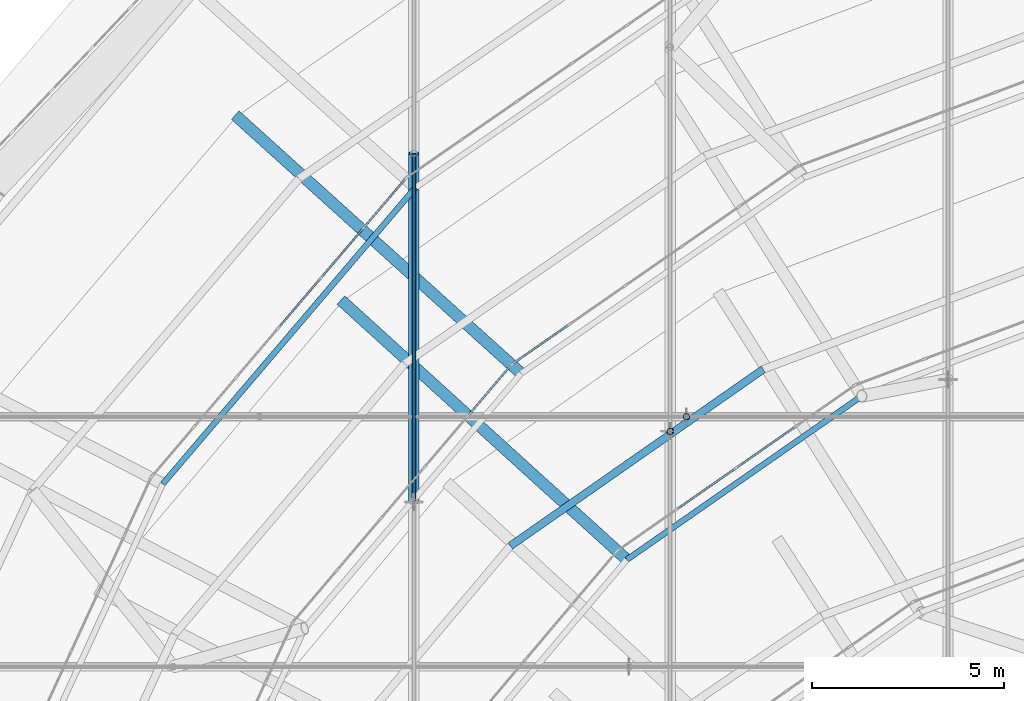
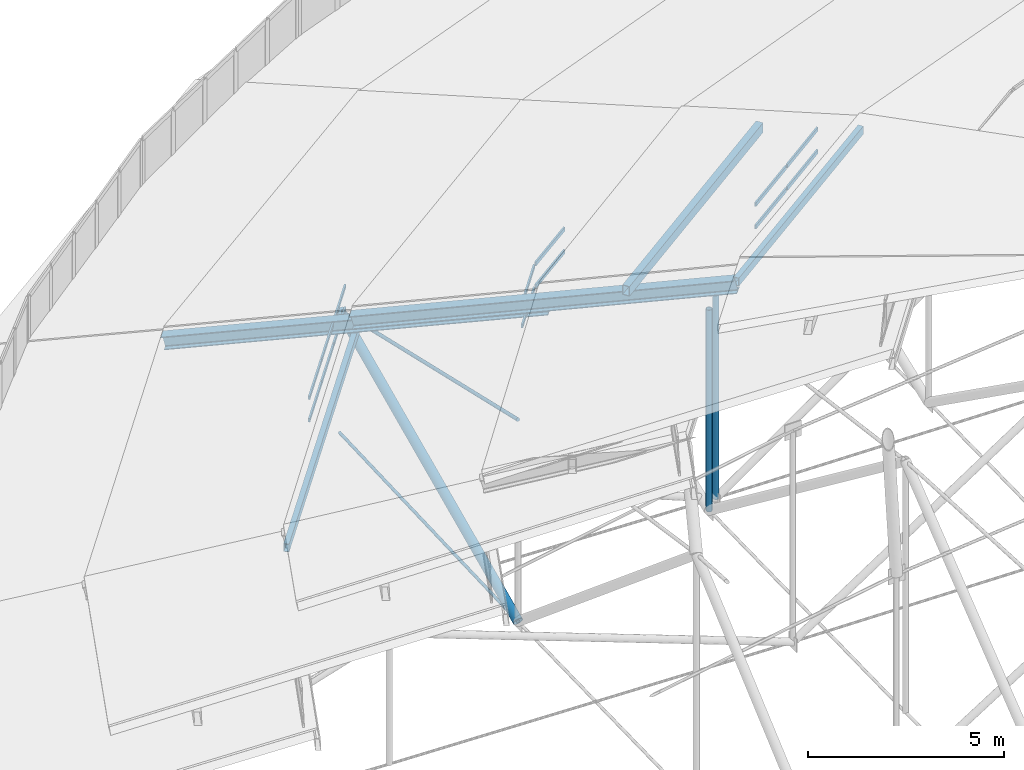
# One storey, part 103 of 173: 24 members, 4 elements without a shape of their own.
"""IFC4 building model written with IfcOpenShell, lengths in metres."""

from ifc_helpers import new_model, si_unit, direction, frame, origin, origin_2d, place, context, subcontext, project, spatial, rectangle, hollow_rectangle, circle, hollow_circle, i_section, extrude, material, material_profile, profile_set, type_object, element, aggregate, save


model = new_model("IFC4")

# Units and contexts
model_context = context("Model", 3, precision=1e-05, world=origin(), true_north=direction((0.0, 1.0)))
body_context = subcontext(model_context, "Body", "Model", "MODEL_VIEW")
ifc_project = project(units=[si_unit("LENGTHUNIT", "METRE"), si_unit("AREAUNIT", "SQUARE_METRE"), si_unit("VOLUMEUNIT", "CUBIC_METRE"), si_unit("PLANEANGLEUNIT", "RADIAN"), si_unit("MASSUNIT", "GRAM", prefix="KILO")], contexts=[model_context])

# Site, building, storey
site_placement = place(None, origin())
site = spatial("IfcSite", under=ifc_project, at=site_placement, CompositionType="ELEMENT")
building_placement = place(site_placement, origin())
building = spatial("IfcBuilding", under=site, at=building_placement, Name="Glasvene Arena", CompositionType="ELEMENT")
storey_placement = place(building_placement, frame((0.0, 0.0, 28.800048828125)))
storey = spatial("IfcBuildingStorey", under=building, at=storey_placement, Name="RF", CompositionType="ELEMENT", Elevation=28.800048828125)

# Curtain wall, members
ifc_material_1 = material(Name="Low-emissivity laminated double glazing", Category="glass")
curtain_wall_type_1 = type_object("IfcCurtainWallType", Name="CW-PET1-1026x75", PredefinedType="USERDEFINED", material=ifc_material_1)
curtain_wall_1_placement = place(storey_placement, frame((62.40771484375, 99.657958984375, 0.0)))
curtain_wall_1 = element("IfcCurtainWall", 1, at=curtain_wall_1_placement, inside=storey, type_object=curtain_wall_type_1, Name="Petal ring 1-2 clerestory curtain wall 10", ObjectType="CURTAIN WALL", PredefinedType="USERDEFINED")
ifc_material_2 = material(Name="Anodised architectural aluminium", Category="aluminium")
ifc_material_profile_1 = material_profile(ifc_material_2, rectangle(XDim=0.050048828125, YDim=0.1201171875, at=origin_2d()), Name="ALU TRANSOM 50x120")
ifc_profile_set_1 = profile_set([ifc_material_profile_1], Name="Anodised architectural aluminium")
member_type_1 = type_object("IfcMemberType", Name="CW-TRN-120", PredefinedType="USERDEFINED", material=ifc_profile_set_1)
member_1_placement = place(storey_placement, frame((62.375244140625, 99.619873046875, 2.60498046875), z_axis=(-0.648463249482, -0.761245961613, 0.0), x_axis=(0.761245961613, -0.648463249482, 0.0)))
member_1 = element("IfcMember", 2, at=member_1_placement, type_object=member_type_1, Name="CW-083 transom 1.1", ObjectType="TRANSOM", PredefinedType="USERDEFINED", context=body_context, shape_type="SweptSolid", body=[
    extrude(rectangle(XDim=0.050048828125, YDim=0.1201171875, at=origin_2d()), origin(), (0.0, 0.0, 1.0), 1.63427734375),
])
member_2_placement = place(storey_placement, frame((62.375244140625, 99.619873046875, 3.304931640625), z_axis=(-0.648463249482, -0.761245961613, 0.0), x_axis=(0.761245961613, -0.648463249482, 0.0)))
member_2 = element("IfcMember", 3, at=member_2_placement, type_object=member_type_1, Name="CW-083 transom 1.2", ObjectType="TRANSOM", PredefinedType="USERDEFINED", context=body_context, shape_type="SweptSolid", body=[
    extrude(rectangle(XDim=0.050048828125, YDim=0.1201171875, at=origin_2d()), origin(), (0.0, 0.0, 1.0), 1.63427734375),
])
member_3_placement = place(storey_placement, frame((61.282958984375, 98.337646484375, 2.60498046875), z_axis=(-0.648438039829, -0.761267435598, 0.0), x_axis=(0.761267435598, -0.648438039829, 0.0)))
member_3 = element("IfcMember", 4, at=member_3_placement, type_object=member_type_1, Name="CW-083 transom 2.1", ObjectType="TRANSOM", PredefinedType="USERDEFINED", context=body_context, shape_type="SweptSolid", body=[
    extrude(rectangle(XDim=0.050048828125, YDim=0.1201171875, at=origin_2d()), origin(), (0.0, 0.0, 1.0), 1.65966796875),
])
member_4_placement = place(storey_placement, frame((61.282958984375, 98.337646484375, 3.304931640625), z_axis=(-0.648438039829, -0.761267435598, 0.0), x_axis=(0.761267435598, -0.648438039829, 0.0)))
member_4 = element("IfcMember", 5, at=member_4_placement, type_object=member_type_1, Name="CW-083 transom 2.2", ObjectType="TRANSOM", PredefinedType="USERDEFINED", context=body_context, shape_type="SweptSolid", body=[
    extrude(rectangle(XDim=0.050048828125, YDim=0.1201171875, at=origin_2d()), origin(), (0.0, 0.0, 1.0), 1.65966796875),
])
member_5_placement = place(storey_placement, frame((60.174560546875, 97.0361328125, 2.60498046875), z_axis=(-0.648510661064, -0.761205571766, 0.0), x_axis=(0.761205571766, -0.648510661064, 0.0)))
member_5 = element("IfcMember", 6, at=member_5_placement, type_object=member_type_1, Name="CW-083 transom 3.1", ObjectType="TRANSOM", PredefinedType="USERDEFINED", context=body_context, shape_type="SweptSolid", body=[
    extrude(rectangle(XDim=0.050048828125, YDim=0.1201171875, at=origin_2d()), origin(), (0.0, 0.0, 1.0), 1.659423828125),
])
member_6_placement = place(storey_placement, frame((60.174560546875, 97.0361328125, 3.304931640625), z_axis=(-0.648510661064, -0.761205571766, 0.0), x_axis=(0.761205571766, -0.648510661064, 0.0)))
member_6 = element("IfcMember", 7, at=member_6_placement, type_object=member_type_1, Name="CW-083 transom 3.2", ObjectType="TRANSOM", PredefinedType="USERDEFINED", context=body_context, shape_type="SweptSolid", body=[
    extrude(rectangle(XDim=0.050048828125, YDim=0.1201171875, at=origin_2d()), origin(), (0.0, 0.0, 1.0), 1.659423828125),
])
aggregate(curtain_wall_1, [member_1, member_2, member_3, member_4, member_5, member_6])

curtain_wall_type_2 = type_object("IfcCurtainWallType", Name="CW-PET2-905x75", PredefinedType="USERDEFINED", material=ifc_material_1)
curtain_wall_2_placement = place(storey_placement, frame((72.60009765625, 99.952392578125, 0.0)))
curtain_wall_2 = element("IfcCurtainWall", 8, at=curtain_wall_2_placement, inside=storey, type_object=curtain_wall_type_2, Name="Petal ring 2-3 clerestory curtain wall 09", ObjectType="CURTAIN WALL", PredefinedType="USERDEFINED")
member_7_placement = place(storey_placement, frame((66.63134765625, 95.812744140625, 5.204833984375), z_axis=(-0.821644611614, -0.57000011597, 0.0), x_axis=(0.57000011597, -0.821644611614, 0.0)))
member_7 = element("IfcMember", 9, at=member_7_placement, type_object=member_type_1, Name="CW-090 transom 5.1", ObjectType="TRANSOM", PredefinedType="USERDEFINED", context=body_context, shape_type="SweptSolid", body=[
    extrude(rectangle(XDim=0.050048828125, YDim=0.1201171875, at=origin_2d()), origin(), (0.0, 0.0, 1.0), 1.734619140625),
])
member_8_placement = place(storey_placement, frame((66.63134765625, 95.812744140625, 5.905029296875), z_axis=(-0.821644611614, -0.57000011597, 0.0), x_axis=(0.57000011597, -0.821644611614, 0.0)))
member_8 = element("IfcMember", 10, at=member_8_placement, type_object=member_type_1, Name="CW-090 transom 5.2", ObjectType="TRANSOM", PredefinedType="USERDEFINED", context=body_context, shape_type="SweptSolid", body=[
    extrude(rectangle(XDim=0.050048828125, YDim=0.1201171875, at=origin_2d()), origin(), (0.0, 0.0, 1.0), 1.734619140625),
])
aggregate(curtain_wall_2, [member_7, member_8])

curtain_wall_type_3 = type_object("IfcCurtainWallType", Name="CW-PET2-882x75", PredefinedType="USERDEFINED", material=ifc_material_1)
curtain_wall_3_placement = place(storey_placement, frame((65.164794921875, 94.795654296875, 0.0)))
curtain_wall_3 = element("IfcCurtainWall", 11, at=curtain_wall_3_placement, inside=storey, type_object=curtain_wall_type_3, Name="Petal ring 2-3 clerestory curtain wall 10", ObjectType="CURTAIN WALL", PredefinedType="USERDEFINED")
member_9_placement = place(storey_placement, frame((65.132568359375, 94.757568359375, 5.204833984375), z_axis=(-0.647127758529, -0.762381573847, 0.0), x_axis=(0.762381573847, -0.647127758529, 0.0)))
member_9 = element("IfcMember", 12, at=member_9_placement, type_object=member_type_1, Name="CW-089 transom 1.1", ObjectType="TRANSOM", PredefinedType="USERDEFINED", context=body_context, shape_type="SweptSolid", body=[
    extrude(rectangle(XDim=0.050048828125, YDim=0.1201171875, at=origin_2d()), origin(), (0.0, 0.0, 1.0), 1.688232421875),
])
member_10_placement = place(storey_placement, frame((65.132568359375, 94.757568359375, 5.905029296875), z_axis=(-0.647127758529, -0.762381573847, 0.0), x_axis=(0.762381573847, -0.647127758529, 0.0)))
member_10 = element("IfcMember", 13, at=member_10_placement, type_object=member_type_1, Name="CW-089 transom 1.2", ObjectType="TRANSOM", PredefinedType="USERDEFINED", context=body_context, shape_type="SweptSolid", body=[
    extrude(rectangle(XDim=0.050048828125, YDim=0.1201171875, at=origin_2d()), origin(), (0.0, 0.0, 1.0), 1.688232421875),
])
aggregate(curtain_wall_3, [member_9, member_10])

curtain_wall_type_4 = type_object("IfcCurtainWallType", Name="CW-PET3-756x75", PredefinedType="USERDEFINED", material=ifc_material_1)
curtain_wall_4_placement = place(storey_placement, frame((74.125, 94.255859375, 0.0)))
curtain_wall_4 = element("IfcCurtainWall", 14, at=curtain_wall_4_placement, inside=storey, type_object=curtain_wall_type_4, Name="Petal ring 3-4 clerestory curtain wall 09", ObjectType="CURTAIN WALL", PredefinedType="USERDEFINED")
member_11_placement = place(storey_placement, frame((72.5537109375, 93.160888671875, 7.85498046875), z_axis=(-0.820420800475, -0.571760185872, 0.0), x_axis=(0.571760185872, -0.820420800475, 0.0)))
member_11 = element("IfcMember", 15, at=member_11_placement, type_object=member_type_1, Name="CW-096 transom 2.1", ObjectType="TRANSOM", PredefinedType="USERDEFINED", context=body_context, shape_type="SweptSolid", body=[
    extrude(rectangle(XDim=0.050048828125, YDim=0.1201171875, at=origin_2d()), origin(), (0.0, 0.0, 1.0), 1.83984375),
])
member_12_placement = place(storey_placement, frame((72.5537109375, 93.160888671875, 8.554931640625), z_axis=(-0.820420800475, -0.571760185872, 0.0), x_axis=(0.571760185872, -0.820420800475, 0.0)))
member_12 = element("IfcMember", 16, at=member_12_placement, type_object=member_type_1, Name="CW-096 transom 2.2", ObjectType="TRANSOM", PredefinedType="USERDEFINED", context=body_context, shape_type="SweptSolid", body=[
    extrude(rectangle(XDim=0.050048828125, YDim=0.1201171875, at=origin_2d()), origin(), (0.0, 0.0, 1.0), 1.83984375),
])
member_13_placement = place(storey_placement, frame((71.003173828125, 92.080322265625, 7.85498046875), z_axis=(-0.820464170964, -0.571697948364, 0.0), x_axis=(0.571697948364, -0.820464170964, 0.0)))
member_13 = element("IfcMember", 17, at=member_13_placement, type_object=member_type_1, Name="CW-096 transom 3.1", ObjectType="TRANSOM", PredefinedType="USERDEFINED", context=body_context, shape_type="SweptSolid", body=[
    extrude(rectangle(XDim=0.050048828125, YDim=0.1201171875, at=origin_2d()), origin(), (0.0, 0.0, 1.0), 1.840087890625),
])
member_14_placement = place(storey_placement, frame((71.003173828125, 92.080322265625, 8.554931640625), z_axis=(-0.820464170964, -0.571697948364, 0.0), x_axis=(0.571697948364, -0.820464170964, 0.0)))
member_14 = element("IfcMember", 18, at=member_14_placement, type_object=member_type_1, Name="CW-096 transom 3.2", ObjectType="TRANSOM", PredefinedType="USERDEFINED", context=body_context, shape_type="SweptSolid", body=[
    extrude(rectangle(XDim=0.050048828125, YDim=0.1201171875, at=origin_2d()), origin(), (0.0, 0.0, 1.0), 1.840087890625),
])
aggregate(curtain_wall_4, [member_11, member_12, member_13, member_14])

# Members
ifc_material_3 = material(Name="High-strength steel spiral strand S460", Category="steel")
ifc_material_profile_2 = material_profile(ifc_material_3, circle(Radius=0.052490234375, at=origin_2d()), Name="LCSS D105")
ifc_profile_set_2 = profile_set([ifc_material_profile_2], Name="High-strength steel spiral strand S460")
member_type_2 = type_object("IfcMemberType", Name="MB-CABLE-105", PredefinedType="USERDEFINED", material=ifc_profile_set_2)
member_15_placement = place(storey_placement, frame((62.610595703125, 91.202880859375, 4.1669921875), z_axis=(0.0, 0.974258446429, -0.225433980496), x_axis=(-1.0, 0.0, 0.0)))
element("IfcMember", 19, at=member_15_placement, inside=storey, type_object=member_type_2, Name="Upper lens roof cable NS09-07", ObjectType="ROOF CABLE", PredefinedType="USERDEFINED", context=body_context, shape_type="SweptSolid", body=[
    extrude(circle(Radius=0.052490234375, at=origin_2d()), origin(), (0.0, 0.0, 1.0), 9.341796875),
])
ifc_material_profile_3 = material_profile(ifc_material_3, circle(Radius=0.044921875, at=origin_2d()), Name="LCSS D90")
ifc_profile_set_3 = profile_set([ifc_material_profile_3], Name="High-strength steel spiral strand S460")
member_type_3 = type_object("IfcMemberType", Name="MB-CABLE-90", PredefinedType="USERDEFINED", material=ifc_profile_set_3)
member_16_placement = place(storey_placement, frame((62.610595703125, 91.202880859375, -2.112548828125), z_axis=(0.0, 0.999221336832, 0.039455291392), x_axis=(-1.0, 0.0, 0.0)))
element("IfcMember", 20, at=member_16_placement, inside=storey, type_object=member_type_3, Name="Lower stabilization roof cable NS09-07", ObjectType="ROOF CABLE", PredefinedType="USERDEFINED", context=body_context, shape_type="SweptSolid", body=[
    extrude(circle(Radius=0.044921875, at=origin_2d()), origin(), (0.0, 0.0, 1.0), 9.1083984375),
])
ifc_material_4 = material(Name="Steel S355J2", Category="steel")
ifc_material_profile_4 = material_profile(ifc_material_4, i_section(OverallWidth=0.300048828125, OverallDepth=0.39990234375, WebThickness=0.013427734375, FlangeThickness=0.02392578125, FilletRadius=0.027099609375, at=origin_2d()), Name="HEB 400")
ifc_profile_set_4 = profile_set([ifc_material_profile_4], Name="Steel S355J2")
member_type_4 = type_object("IfcMemberType", Name="MB-CHORD-HEB400", PredefinedType="CHORD", material=ifc_profile_set_4)
member_17_placement = place(storey_placement, frame((57.98779296875, 101.265625, 2.14990234375), z_axis=(0.719067246993, -0.649574673947, 0.246971733743), x_axis=(0.670340007985, 0.742054090814, 0.0)))
element("IfcMember", 21, at=member_17_placement, inside=storey, type_object=member_type_4, Name="Petal ring 2 radial rib 10", PredefinedType="CHORD", context=body_context, shape_type="SweptSolid", body=[
    extrude(i_section(OverallWidth=0.300048828125, OverallDepth=0.39990234375, WebThickness=0.013427734375, FlangeThickness=0.02392578125, FilletRadius=0.027099609375, at=origin_2d()), origin(), (0.0, 0.0, 1.0), 10.3251953125),
])
member_18_placement = place(storey_placement, frame((60.7451171875, 96.438720703125, 4.75), z_axis=(0.716741157573, -0.650607992332, 0.250980782841), x_axis=(0.672121201011, 0.740441146312, 0.0)))
element("IfcMember", 22, at=member_18_placement, inside=storey, type_object=member_type_4, Name="Petal ring 3 radial rib 10", PredefinedType="CHORD", context=body_context, shape_type="SweptSolid", body=[
    extrude(i_section(OverallWidth=0.300048828125, OverallDepth=0.39990234375, WebThickness=0.013427734375, FlangeThickness=0.02392578125, FilletRadius=0.027099609375, at=origin_2d()), origin(), (0.0, 0.0, 1.0), 10.35888671875),
])
ifc_material_profile_5 = material_profile(ifc_material_4, hollow_rectangle(XDim=0.14990234375, YDim=0.25, WallThickness=0.010009765625, at=origin_2d()), Name="RHS 250x150x10.0")
ifc_profile_set_5 = profile_set([ifc_material_profile_5], Name="Steel S355J2")
member_type_5 = type_object("IfcMemberType", Name="MB-PURLIN-RHS250", PredefinedType="PURLIN", material=ifc_profile_set_5)
member_19_placement = place(storey_placement, frame((62.655029296875, 99.410400390625, 2.181884765625), z_axis=(-0.648785480465, -0.760971353165, 0.0), x_axis=(0.760971353165, -0.648785480465, 0.0)))
element("IfcMember", 23, at=member_19_placement, inside=storey, type_object=member_type_5, Name="Petal ring 1 ridge purlin 10", PredefinedType="PURLIN", context=body_context, shape_type="SweptSolid", body=[
    extrude(hollow_rectangle(XDim=0.14990234375, YDim=0.25, WallThickness=0.010009765625, at=origin_2d()), origin(), (0.0, 0.0, 1.0), 10.1650390625),
])
member_20_placement = place(storey_placement, frame((74.300048828125, 93.968994140625, 7.431884765625), z_axis=(-0.820580689502, -0.571530692103, 0.0), x_axis=(0.571530692103, -0.820580689502, 0.0)))
element("IfcMember", 24, at=member_20_placement, inside=storey, type_object=member_type_5, Name="Petal ring 3 ridge purlin 09", PredefinedType="PURLIN", context=body_context, shape_type="SweptSolid", body=[
    extrude(hollow_rectangle(XDim=0.14990234375, YDim=0.25, WallThickness=0.010009765625, at=origin_2d()), origin(), (0.0, 0.0, 1.0), 7.470703125),
])
ifc_material_profile_6 = material_profile(ifc_material_4, hollow_rectangle(XDim=0.199951171875, YDim=0.300048828125, WallThickness=0.012451171875, at=origin_2d()), Name="RHS 300x200x12.5")
ifc_profile_set_6 = profile_set([ifc_material_profile_6], Name="Steel S355J2")
member_type_6 = type_object("IfcMemberType", Name="MB-PURLIN-RHS300", PredefinedType="PURLIN", material=ifc_profile_set_6)
member_21_placement = place(storey_placement, frame((71.72509765625, 94.664794921875, 8.00048828125), z_axis=(-0.819748991351, -0.57272296198, 0.0), x_axis=(0.57272296198, -0.819748991351, 0.0)))
element("IfcMember", 25, at=member_21_placement, inside=storey, type_object=member_type_6, Name="Petal ring 4 outer purlin 09", PredefinedType="PURLIN", context=body_context, shape_type="SweptSolid", body=[
    extrude(hollow_rectangle(XDim=0.199951171875, YDim=0.300048828125, WallThickness=0.012451171875, at=origin_2d()), origin(), (0.0, 0.0, 1.0), 8.046875),
])
ifc_material_profile_7 = material_profile(ifc_material_4, hollow_circle(Radius=0.084228515625, WallThickness=0.008056640625, at=origin_2d()), Name="CHS 168.3x8.0")
ifc_profile_set_7 = profile_set([ifc_material_profile_7], Name="Steel S355J2")
member_type_7 = type_object("IfcMemberType", Name="MB-WEB-CHS168", PredefinedType="BRACE", material=ifc_profile_set_7)
member_22_placement = place(storey_placement, frame((69.300537109375, 93.047607421875, -2.112548828125), z_axis=(0.0, 0.0, 1.0), x_axis=(1.0, 0.0, 0.0)))
element("IfcMember", 26, at=member_22_placement, inside=storey, type_object=member_type_7, Name="Cable-truss vertical strut NS08-06", PredefinedType="BRACE", context=body_context, shape_type="SweptSolid", body=[
    extrude(hollow_circle(Radius=0.084228515625, WallThickness=0.008056640625, at=origin_2d()), origin(), (0.0, 0.0, 1.0), 6.279541015625),
])
member_23_placement = place(storey_placement, frame((69.724853515625, 93.4296875, -2.112548828125), z_axis=(0.0, 0.0, 1.0), x_axis=(1.0, 0.0, 0.0)))
element("IfcMember", 27, at=member_23_placement, inside=storey, type_object=member_type_7, Name="Cable-truss vertical strut EW07-02", PredefinedType="BRACE", context=body_context, shape_type="SweptSolid", body=[
    extrude(hollow_circle(Radius=0.084228515625, WallThickness=0.008056640625, at=origin_2d()), origin(), (0.0, 0.0, 1.0), 6.58544921875),
])
ifc_material_profile_8 = material_profile(ifc_material_4, hollow_circle(Radius=0.136474609375, WallThickness=0.012451171875, at=origin_2d()), Name="CHS 273.0x12.5")
ifc_profile_set_8 = profile_set([ifc_material_profile_8], Name="Steel S355J2")
member_type_8 = type_object("IfcMemberType", Name="MB-WEB-CHS273", PredefinedType="BRACE", material=ifc_profile_set_8)
member_24_placement = place(storey_placement, frame((62.610595703125, 91.202880859375, -2.112548828125), z_axis=(0.0, 0.908983609721, 0.416831857297), x_axis=(-1.0, 0.0, 0.0)))
element("IfcMember", 28, at=member_24_placement, inside=storey, type_object=member_type_8, Name="Cable-truss diagonal web strut NS09-07", PredefinedType="BRACE", context=body_context, shape_type="SweptSolid", body=[
    extrude(hollow_circle(Radius=0.136474609375, WallThickness=0.012451171875, at=origin_2d()), origin(), (0.0, 0.0, 1.0), 10.0126953125),
])

save(model, "model.ifc")
